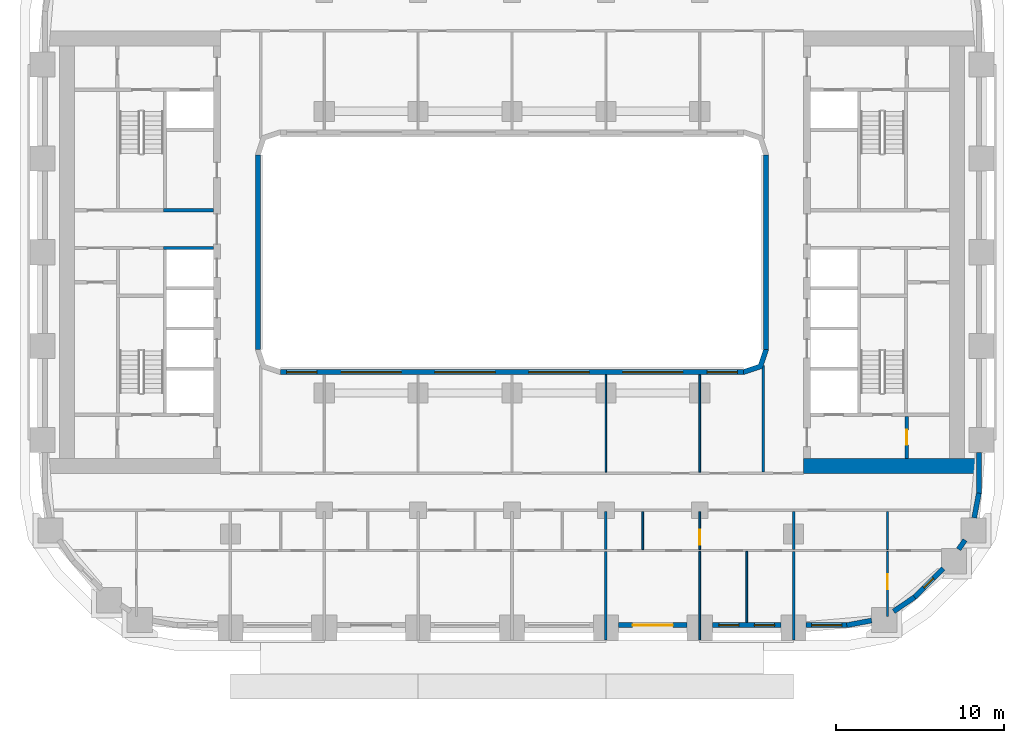
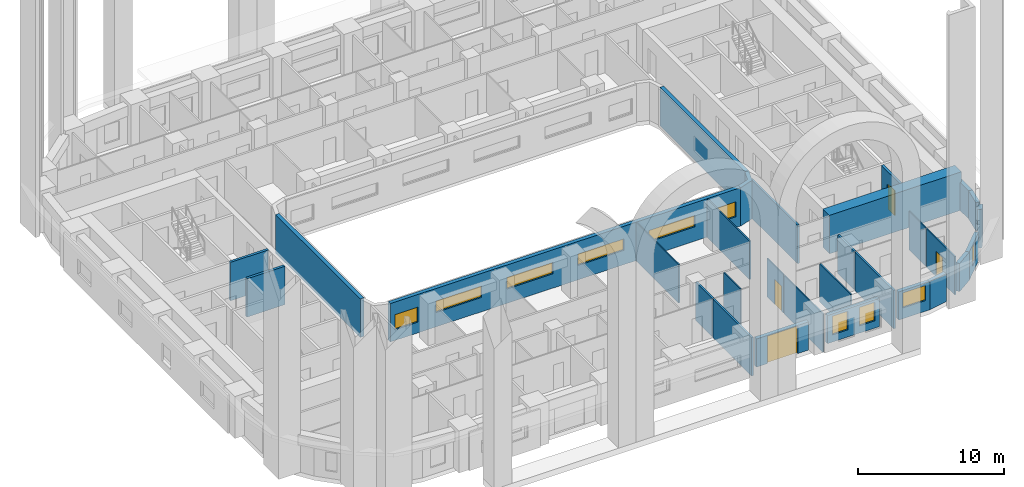
# One storey, part 5 of 21: 30 walls, 10 windows, 4 doors, 14 openings.
"""IFC4 building model written with IfcOpenShell, lengths in metres."""

from ifc_helpers import new_model, si_unit, direction, frame, frame_2d, origin, place, context, subcontext, project, spatial, polyline, rectangle, outline, extrude, material, layer, layer_set, type_object, element, fill, save


model = new_model("IFC4")

# Units and contexts
model_context = context("Model", 3, precision=1e-05, world=origin(), true_north=direction((0.0, 1.0)))
body_context = subcontext(model_context, "Body", "Model", "MODEL_VIEW")
ifc_project = project(units=[si_unit("LENGTHUNIT", "METRE"), si_unit("AREAUNIT", "SQUARE_METRE"), si_unit("VOLUMEUNIT", "CUBIC_METRE"), si_unit("PLANEANGLEUNIT", "RADIAN"), si_unit("MASSUNIT", "GRAM", prefix="KILO")], contexts=[model_context])

# Site, building, storey
site_placement = place(None, origin())
site = spatial("IfcSite", under=ifc_project, at=site_placement, CompositionType="ELEMENT")
building_placement = place(site_placement, origin())
building = spatial("IfcBuilding", under=site, at=building_placement, Name="Kiln Ring Residences", CompositionType="ELEMENT")
storey_placement = place(building_placement, frame((0.0, 0.0, 30.5)))
storey = spatial("IfcBuildingStorey", under=building, at=storey_placement, Name="L06", CompositionType="ELEMENT", Elevation=30.5)

# Wall, opening, door
ifc_material_1 = material(Name="Gypsum board on steel studs", Category="steel")
ifc_layer_1 = layer(ifc_material_1, 0.199951171875)
ifc_layer_set_1 = layer_set([ifc_layer_1], Name="CORE-PARTITION-200")
wall_type_1 = type_object("IfcWallType", Name="CORE-PARTITION-200", PredefinedType="PARTITIONING", material=ifc_layer_set_1)
wall_1_placement = place(storey_placement, frame((23.550048828125, -12.300048828125, 0.0), z_axis=(0.0, 0.0, 1.0), x_axis=(0.0, 1.0, 0.0)))
wall_1 = element("IfcWall", 1, at=wall_1_placement, inside=storey, type_object=wall_type_1, Name="Core partition east L06 4", PredefinedType="PARTITIONING", context=body_context, shape_type="SweptSolid", body=[
    extrude(rectangle(XDim=2.5, YDim=0.199951171875, at=frame_2d((1.25, 0.0))), origin(), (0.0, 0.0, 1.0), 3.199951171875),
])
opening_1_placement = place(wall_1_placement, frame((0.800048828125, 0.0, 0.0)))
opening_1 = element("IfcOpeningElement", 2, at=opening_1_placement, cuts=wall_1, Name="Opening L06-CE10", PredefinedType="OPENING", context=body_context, shape_type="SweptSolid", body=[
    extrude(rectangle(XDim=0.89990234375, YDim=2.10009765625, at=frame_2d((0.449951171875, 1.050048828125))), frame((0.0, 0.10986328125, 0.0), z_axis=(0.0, -1.0, 0.0), x_axis=(1.0, 0.0, 0.0)), (0.0, 0.0, 1.0), 0.219970703125),
])
ifc_material_2 = material(Name="Steel door leaf", Category="steel")
door_type_1 = type_object("IfcDoorType", Name="CORE-DOOR-ROOM", OperationType="SINGLE_SWING_LEFT", PredefinedType="DOOR", material=ifc_material_2)
door_1_placement = place(opening_1_placement, origin())
door_1 = element("IfcDoor", 3, at=door_1_placement, inside=storey, type_object=door_type_1, Name="Store L06-CE10", OperationType="SINGLE_SWING_LEFT", OverallHeight=2.10009765625, OverallWidth=0.89990234375, PredefinedType="DOOR", context=body_context, shape_type="SweptSolid", body=[
    extrude(rectangle(XDim=0.89990234375, YDim=2.10009765625, at=frame_2d((0.449951171875, 1.050048828125))), frame((0.0, 0.02490234375, 0.0), z_axis=(0.0, -1.0, 0.0), x_axis=(1.0, 0.0, 0.0)), (0.0, 0.0, 1.0), 0.050048828125),
])
fill(opening_1, door_1)

# Walls
ifc_material_3 = material(Name="Gypsum shaft wall system")
ifc_layer_2 = layer(ifc_material_3, 0.199951171875)
ifc_layer_set_2 = layer_set([ifc_layer_2], Name="CORE-SHAFT-WALL-200")
wall_type_2 = type_object("IfcWallType", Name="CORE-SHAFT-WALL-200", PredefinedType="PARTITIONING", material=ifc_layer_set_2)
for number, where, z_axis, x_axis, name in (
    (4, (-17.800048828125, 0.25, 0.0), (0.0, 0.0, 1.0), (-1.0, 0.0, 0.0), "Core partition west L06 9"),
    (5, (-17.800048828125, 2.5, 0.0), (0.0, 0.0, 1.0), (-1.0, 0.0, 0.0), "Core partition west L06 10"),
):
    element("IfcWall", number, at=place(storey_placement, frame(where, z_axis=z_axis, x_axis=x_axis)), inside=storey, type_object=wall_type_2, Name=name, PredefinedType="PARTITIONING", context=body_context, shape_type="SweptSolid", body=[
        extrude(rectangle(XDim=3.0, YDim=0.199951171875, at=frame_2d((1.5, 0.0))), origin(), (0.0, 0.0, 1.0), 3.199951171875),
    ])
ifc_material_4 = material(Name="Concrete C60/75", Category="concrete")
ifc_layer_3 = layer(ifc_material_4, 0.89990234375)
ifc_layer_set_3 = layer_set([ifc_layer_3], Name="CORE-WALL-RC900")
wall_type_3 = type_object("IfcWallType", Name="CORE-WALL-RC900", PredefinedType="SHEAR", material=ifc_layer_set_3)
wall_2_placement = place(storey_placement, frame((17.39990234375, -12.75, 0.0), z_axis=(0.0, 0.0, 1.0), x_axis=(1.0, 0.0, 0.0)))
element("IfcWall", 6, at=wall_2_placement, inside=storey, type_object=wall_type_3, Name="Core wall east L06 5", PredefinedType="SHEAR", context=body_context, shape_type="SweptSolid", body=[
    extrude(rectangle(XDim=10.400146484375, YDim=0.89990234375, at=frame_2d((5.2001953125, 0.0))), origin(), (0.0, 0.0, 1.0), 3.199951171875),
])

# Wall, opening, door
ifc_material_5 = material(Name="Brick masonry, dark clay brick", Category="masonry")
ifc_layer_4 = layer(ifc_material_5, 0.300048828125)
ifc_layer_set_4 = layer_set([ifc_layer_4], Name="EW-300 BRICK WALL")
wall_type_4 = type_object("IfcWallType", Name="EW-300 BRICK WALL", PredefinedType="SOLIDWALL", material=ifc_layer_set_4)
wall_3_placement = place(storey_placement, frame((6.35009765625, -22.25, 0.0), z_axis=(0.0, 0.0, 1.0), x_axis=(1.0, 0.0, 0.0)))
wall_3 = element("IfcWall", 7, at=wall_3_placement, inside=storey, type_object=wall_type_4, Name="Facade wall L06 9", PredefinedType="SOLIDWALL", context=body_context, shape_type="SweptSolid", body=[
    extrude(rectangle(XDim=4.099853515625, YDim=0.300048828125, at=frame_2d((2.0498046875, 0.0))), origin(), (0.0, 0.0, 1.0), 2.35009765625),
])
opening_2_placement = place(wall_3_placement, frame((0.85009765625, 0.0, 0.0)))
opening_2 = element("IfcOpeningElement", 8, at=opening_2_placement, cuts=wall_3, Name="Opening EL06-2", PredefinedType="OPENING", context=body_context, shape_type="SweptSolid", body=[
    extrude(rectangle(XDim=2.39990234375, YDim=2.300048828125, at=frame_2d((1.199951171875, 1.14990234375))), frame((0.0, 0.159912109375, 0.0), z_axis=(0.0, -1.0, 0.0), x_axis=(1.0, 0.0, 0.0)), (0.0, 0.0, 1.0), 0.320068359375),
])
ifc_material_6 = material(Name="Aluminium and glass", Category="aluminium")
door_type_2 = type_object("IfcDoorType", Name="TERRACE DOOR 2400 x 2300", OperationType="DOUBLE_DOOR_SINGLE_SWING", PredefinedType="DOOR", material=ifc_material_6)
door_2_placement = place(opening_2_placement, origin())
door_2 = element("IfcDoor", 9, at=door_2_placement, inside=storey, type_object=door_type_2, Name="Terrace door EL06-2", OperationType="SINGLE_SWING_LEFT", OverallHeight=2.300048828125, OverallWidth=2.39990234375, PredefinedType="DOOR", context=body_context, shape_type="SweptSolid", body=[
    extrude(rectangle(XDim=2.39990234375, YDim=2.300048828125, at=frame_2d((1.199951171875, 1.14990234375))), frame((0.0, 0.02490234375, 0.0), z_axis=(0.0, -1.0, 0.0), x_axis=(1.0, 0.0, 0.0)), (0.0, 0.0, 1.0), 0.050048828125),
])
fill(opening_2, door_2)

# Wall, openings, windows
wall_4_placement = place(storey_placement, frame((11.949951171875, -22.25, 0.0), z_axis=(0.0, 0.0, 1.0), x_axis=(1.0, 0.0, 0.0)))
wall_4 = element("IfcWall", 10, at=wall_4_placement, inside=storey, type_object=wall_type_4, Name="Facade wall L06 10", PredefinedType="SOLIDWALL", context=body_context, shape_type="SweptSolid", body=[
    extrude(rectangle(XDim=4.10009765625, YDim=0.300048828125, at=frame_2d((2.050048828125, 0.0))), origin(), (0.0, 0.0, 1.0), 2.35009765625),
])
opening_3_placement = place(wall_4_placement, frame((0.387451171875, 0.0, 0.60009765625)))
opening_3 = element("IfcOpeningElement", 11, at=opening_3_placement, cuts=wall_4, Name="Opening W1", PredefinedType="OPENING", context=body_context, shape_type="SweptSolid", body=[
    extrude(rectangle(XDim=1.199951171875, YDim=1.550048828125, at=frame_2d((0.60009765625, 0.77490234375))), frame((0.0, 0.159912109375, 0.0), z_axis=(0.0, -1.0, 0.0), x_axis=(1.0, 0.0, 0.0)), (0.0, 0.0, 1.0), 0.320068359375),
])
opening_4_placement = place(wall_4_placement, frame((2.512451171875, 0.0, 0.60009765625)))
opening_4 = element("IfcOpeningElement", 12, at=opening_4_placement, cuts=wall_4, Name="Opening W1", PredefinedType="OPENING", context=body_context, shape_type="SweptSolid", body=[
    extrude(rectangle(XDim=1.199951171875, YDim=1.550048828125, at=frame_2d((0.60009765625, 0.77490234375))), frame((0.0, 0.159912109375, 0.0), z_axis=(0.0, -1.0, 0.0), x_axis=(1.0, 0.0, 0.0)), (0.0, 0.0, 1.0), 0.320068359375),
])
ifc_material_7 = material(Name="Aluminium frame with double glazing", Category="aluminium")
window_type_1 = type_object("IfcWindowType", Name="WINDOW 1200 x 1550", PartitioningType="SINGLE_PANEL", PredefinedType="WINDOW", material=ifc_material_7)
window_1_placement = place(opening_3_placement, origin())
window_1 = element("IfcWindow", 13, at=window_1_placement, inside=storey, type_object=window_type_1, Name="Window L06 6", OverallHeight=1.550048828125, OverallWidth=1.199951171875, PartitioningType="SINGLE_PANEL", PredefinedType="WINDOW", context=body_context, shape_type="SweptSolid", body=[
    extrude(rectangle(XDim=1.199951171875, YDim=1.550048828125, at=frame_2d((0.60009765625, 0.77490234375))), frame((0.0, 0.030029296875, 0.0), z_axis=(0.0, -1.0, 0.0), x_axis=(1.0, 0.0, 0.0)), (0.0, 0.0, 1.0), 0.06005859375),
])
fill(opening_3, window_1)
window_2_placement = place(opening_4_placement, origin())
window_2 = element("IfcWindow", 14, at=window_2_placement, inside=storey, type_object=window_type_1, Name="Window L06 7", OverallHeight=1.550048828125, OverallWidth=1.199951171875, PartitioningType="SINGLE_PANEL", PredefinedType="WINDOW", context=body_context, shape_type="SweptSolid", body=[
    extrude(rectangle(XDim=1.199951171875, YDim=1.550048828125, at=frame_2d((0.60009765625, 0.77490234375))), frame((0.0, 0.030029296875, 0.0), z_axis=(0.0, -1.0, 0.0), x_axis=(1.0, 0.0, 0.0)), (0.0, 0.0, 1.0), 0.06005859375),
])
fill(opening_4, window_2)

# Wall, opening, window
wall_5_placement = place(storey_placement, frame((17.550048828125, -22.25, 0.0), z_axis=(0.0, 0.0, 1.0), x_axis=(1.0, 0.0, 0.0)))
wall_5 = element("IfcWall", 15, at=wall_5_placement, inside=storey, type_object=wall_type_4, Name="Facade wall L06 11", PredefinedType="SOLIDWALL", context=body_context, shape_type="SweptSolid", body=[
    extrude(rectangle(XDim=2.449951171875, YDim=0.300048828125, at=frame_2d((1.22509765625, 0.0))), origin(), (0.0, 0.0, 1.0), 2.35009765625),
])
opening_5_placement = place(wall_5_placement, frame((0.324951171875, 0.0, 0.89990234375)))
opening_5 = element("IfcOpeningElement", 16, at=opening_5_placement, cuts=wall_5, Name="Opening W2", PredefinedType="OPENING", context=body_context, shape_type="SweptSolid", body=[
    extrude(rectangle(XDim=1.800048828125, YDim=1.25, at=frame_2d((0.89990234375, 0.625))), frame((0.0, 0.159912109375, 0.0), z_axis=(0.0, -1.0, 0.0), x_axis=(1.0, 0.0, 0.0)), (0.0, 0.0, 1.0), 0.320068359375),
])
ifc_material_8 = material(Name="Aluminium frame with double glazing", Category="aluminium")
window_type_2 = type_object("IfcWindowType", Name="WINDOW 1800 x 1250", PartitioningType="SINGLE_PANEL", PredefinedType="WINDOW", material=ifc_material_8)
window_3_placement = place(opening_5_placement, origin())
window_3 = element("IfcWindow", 17, at=window_3_placement, inside=storey, type_object=window_type_2, Name="Window L06 8", OverallHeight=1.25, OverallWidth=1.800048828125, PartitioningType="SINGLE_PANEL", PredefinedType="WINDOW", context=body_context, shape_type="SweptSolid", body=[
    extrude(rectangle(XDim=1.800048828125, YDim=1.25, at=frame_2d((0.89990234375, 0.625))), frame((0.0, 0.030029296875, 0.0), z_axis=(0.0, -1.0, 0.0), x_axis=(1.0, 0.0, 0.0)), (0.0, 0.0, 1.0), 0.06005859375),
])
fill(opening_5, window_3)

# Walls
for number, where, z_axis, x_axis, name in (
    (18, (19.971923828125, -22.252685546875, 0.0), (0.0, 0.0, 1.0), (0.982287454367, 0.187380247071, 0.0), "Facade wall L06 12"),
    (19, (22.76708984375, -21.425537109375, 0.0), (0.0, 0.0, 1.0), (0.827028997312, 0.562159263559, 0.0), "Facade wall L06 13"),
):
    element("IfcWall", number, at=place(storey_placement, frame(where, z_axis=z_axis, x_axis=x_axis)), inside=storey, type_object=wall_type_4, Name=name, PredefinedType="SOLIDWALL", context=body_context, shape_type="SweptSolid", body=[
        extrude(rectangle(XDim=1.506103515625, YDim=0.300048828125, at=frame_2d((0.7529296875, 0.0))), origin(), (0.0, 0.0, 1.0), 2.35009765625),
    ])

# Wall, opening, window
wall_6_placement = place(storey_placement, frame((23.990966796875, -20.596923828125, 0.0), z_axis=(0.0, 0.0, 1.0), x_axis=(0.707106781187, 0.707106781187, 0.0)))
wall_6 = element("IfcWall", 20, at=wall_6_placement, inside=storey, type_object=wall_type_4, Name="Facade wall L06 14", PredefinedType="SOLIDWALL", context=body_context, shape_type="SweptSolid", body=[
    extrude(rectangle(XDim=2.449951171875, YDim=0.300048828125, at=frame_2d((1.22509765625, 0.0))), origin(), (0.0, 0.0, 1.0), 2.35009765625),
])
opening_6_placement = place(wall_6_placement, frame((0.824951171875, 0.0, 0.60009765625)))
opening_6 = element("IfcOpeningElement", 21, at=opening_6_placement, cuts=wall_6, Name="Opening W5", PredefinedType="OPENING", context=body_context, shape_type="SweptSolid", body=[
    extrude(rectangle(XDim=0.800048828125, YDim=1.550048828125, at=frame_2d((0.39990234375, 0.77490234375))), frame((0.0, 0.159912109375, 0.0), z_axis=(0.0, -1.0, 0.0), x_axis=(1.0, 0.0, 0.0)), (0.0, 0.0, 1.0), 0.320068359375),
])
ifc_material_9 = material(Name="Aluminium frame with double glazing", Category="aluminium")
window_type_3 = type_object("IfcWindowType", Name="WINDOW 800 x 1550", PartitioningType="SINGLE_PANEL", PredefinedType="WINDOW", material=ifc_material_9)
window_4_placement = place(opening_6_placement, origin())
window_4 = element("IfcWindow", 22, at=window_4_placement, inside=storey, type_object=window_type_3, Name="Window L06 9", OverallHeight=1.550048828125, OverallWidth=0.800048828125, PartitioningType="SINGLE_PANEL", PredefinedType="WINDOW", context=body_context, shape_type="SweptSolid", body=[
    extrude(rectangle(XDim=0.800048828125, YDim=1.550048828125, at=frame_2d((0.39990234375, 0.77490234375))), frame((0.0, 0.030029296875, 0.0), z_axis=(0.0, -1.0, 0.0), x_axis=(1.0, 0.0, 0.0)), (0.0, 0.0, 1.0), 0.06005859375),
])
fill(opening_6, window_4)

# Walls
wall_7_placement = place(storey_placement, frame((26.644775390625, -17.72705078125, 0.0), z_axis=(0.0, 0.0, 1.0), x_axis=(0.562083182981, 0.827080706709, 0.0)))
element("IfcWall", 23, at=wall_7_placement, inside=storey, type_object=wall_type_4, Name="Facade wall L06 15", PredefinedType="SOLIDWALL", context=body_context, shape_type="SweptSolid", body=[
    extrude(rectangle(XDim=0.67724609375, YDim=0.300048828125, at=frame_2d((0.338623046875, 0.0))), origin(), (0.0, 0.0, 1.0), 3.199951171875),
])
wall_8_placement = place(storey_placement, frame((27.570556640625, -15.851318359375, 0.0), z_axis=(0.0, 0.0, 1.0), x_axis=(0.187223837635, 0.982317277982, 0.0)))
element("IfcWall", 24, at=wall_8_placement, inside=storey, type_object=wall_type_4, Name="Facade wall L06 16", PredefinedType="SOLIDWALL", context=body_context, shape_type="SweptSolid", body=[
    extrude(rectangle(XDim=1.506103515625, YDim=0.300048828125, at=frame_2d((0.7529296875, 0.0))), origin(), (0.0, 0.0, 1.0), 2.35009765625),
])
wall_9_placement = place(storey_placement, frame((27.85009765625, -14.39990234375, 0.0), z_axis=(0.0, 0.0, 1.0), x_axis=(0.0, 1.0, 0.0)))
element("IfcWall", 25, at=wall_9_placement, inside=storey, type_object=wall_type_4, Name="Facade wall L06 17", PredefinedType="SOLIDWALL", context=body_context, shape_type="SweptSolid", body=[
    extrude(rectangle(XDim=2.449951171875, YDim=0.300048828125, at=frame_2d((1.22509765625, 0.0))), origin(), (0.0, 0.0, 1.0), 2.35009765625),
])
for number, where, z_axis, x_axis, name in (
    (26, (-15.14990234375, -5.800048828125, 0.0), (0.0, 0.0, 1.0), (0.0, 1.0, 0.0), "Facade wall L06 49"),
    (27, (15.14990234375, 5.800048828125, 0.0), (0.0, 0.0, 1.0), (0.0, -1.0, 0.0), "Facade wall L06 51"),
):
    element("IfcWall", number, at=place(storey_placement, frame(where, z_axis=z_axis, x_axis=x_axis)), inside=storey, type_object=wall_type_4, Name=name, PredefinedType="SOLIDWALL", context=body_context, shape_type="SweptSolid", body=[
        extrude(rectangle(XDim=11.60009765625, YDim=0.300048828125, at=frame_2d((5.800048828125, 0.0))), origin(), (0.0, 0.0, 1.0), 3.199951171875),
    ])

# Wall, openings, windows
wall_10_placement = place(storey_placement, frame((13.800048828125, -7.14990234375, 0.0), z_axis=(0.0, 0.0, 1.0), x_axis=(-1.0, 0.0, 0.0)))
wall_10 = element("IfcWall", 28, at=wall_10_placement, inside=storey, type_object=wall_type_4, Name="Facade wall L06 52", PredefinedType="SOLIDWALL", context=body_context, shape_type="SweptSolid", body=[
    extrude(rectangle(XDim=27.60009765625, YDim=0.300048828125, at=frame_2d((13.800048828125, 0.0))), origin(), (0.0, 0.0, 1.0), 3.199951171875),
])
opening_7_placement = place(wall_10_placement, frame((0.362548828125, 0.0, 0.89990234375)))
opening_7 = element("IfcOpeningElement", 29, at=opening_7_placement, cuts=wall_10, Name="Opening W2", PredefinedType="OPENING", context=body_context, shape_type="SweptSolid", body=[
    extrude(rectangle(XDim=1.800048828125, YDim=1.25, at=frame_2d((0.89990234375, 0.625))), frame((0.0, 0.159912109375, 0.0), z_axis=(0.0, -1.0, 0.0), x_axis=(1.0, 0.0, 0.0)), (0.0, 0.0, 1.0), 0.320068359375),
])
opening_8_placement = place(wall_10_placement, frame((3.60009765625, 0.0, 1.199951171875)))
opening_8 = element("IfcOpeningElement", 30, at=opening_8_placement, cuts=wall_10, Name="Opening W4", PredefinedType="OPENING", context=body_context, shape_type="SweptSolid", body=[
    extrude(rectangle(XDim=3.60009765625, YDim=0.949951171875, at=frame_2d((1.800048828125, 0.47509765625))), frame((0.0, 0.159912109375, 0.0), z_axis=(0.0, -1.0, 0.0), x_axis=(1.0, 0.0, 0.0)), (0.0, 0.0, 1.0), 0.320068359375),
])
opening_9_placement = place(wall_10_placement, frame((9.199951171875, 0.0, 1.199951171875)))
opening_9 = element("IfcOpeningElement", 31, at=opening_9_placement, cuts=wall_10, Name="Opening W4", PredefinedType="OPENING", context=body_context, shape_type="SweptSolid", body=[
    extrude(rectangle(XDim=3.60009765625, YDim=0.949951171875, at=frame_2d((1.800048828125, 0.47509765625))), frame((0.0, 0.159912109375, 0.0), z_axis=(0.0, -1.0, 0.0), x_axis=(1.0, 0.0, 0.0)), (0.0, 0.0, 1.0), 0.320068359375),
])
opening_10_placement = place(wall_10_placement, frame((14.800048828125, 0.0, 1.199951171875)))
opening_10 = element("IfcOpeningElement", 32, at=opening_10_placement, cuts=wall_10, Name="Opening W4", PredefinedType="OPENING", context=body_context, shape_type="SweptSolid", body=[
    extrude(rectangle(XDim=3.60009765625, YDim=0.949951171875, at=frame_2d((1.800048828125, 0.47509765625))), frame((0.0, 0.159912109375, 0.0), z_axis=(0.0, -1.0, 0.0), x_axis=(1.0, 0.0, 0.0)), (0.0, 0.0, 1.0), 0.320068359375),
])
opening_11_placement = place(wall_10_placement, frame((20.39990234375, 0.0, 1.199951171875)))
opening_11 = element("IfcOpeningElement", 33, at=opening_11_placement, cuts=wall_10, Name="Opening W4", PredefinedType="OPENING", context=body_context, shape_type="SweptSolid", body=[
    extrude(rectangle(XDim=3.60009765625, YDim=0.949951171875, at=frame_2d((1.800048828125, 0.47509765625))), frame((0.0, 0.159912109375, 0.0), z_axis=(0.0, -1.0, 0.0), x_axis=(1.0, 0.0, 0.0)), (0.0, 0.0, 1.0), 0.320068359375),
])
opening_12_placement = place(wall_10_placement, frame((25.4375, 0.0, 0.89990234375)))
opening_12 = element("IfcOpeningElement", 34, at=opening_12_placement, cuts=wall_10, Name="Opening W2", PredefinedType="OPENING", context=body_context, shape_type="SweptSolid", body=[
    extrude(rectangle(XDim=1.800048828125, YDim=1.25, at=frame_2d((0.89990234375, 0.625))), frame((0.0, 0.159912109375, 0.0), z_axis=(0.0, -1.0, 0.0), x_axis=(1.0, 0.0, 0.0)), (0.0, 0.0, 1.0), 0.320068359375),
])
window_5_placement = place(opening_7_placement, origin())
window_5 = element("IfcWindow", 35, at=window_5_placement, inside=storey, type_object=window_type_2, Name="Window L06 28", OverallHeight=1.25, OverallWidth=1.800048828125, PartitioningType="SINGLE_PANEL", PredefinedType="WINDOW", context=body_context, shape_type="SweptSolid", body=[
    extrude(rectangle(XDim=1.800048828125, YDim=1.25, at=frame_2d((0.89990234375, 0.625))), frame((0.0, 0.030029296875, 0.0), z_axis=(0.0, -1.0, 0.0), x_axis=(1.0, 0.0, 0.0)), (0.0, 0.0, 1.0), 0.06005859375),
])
fill(opening_7, window_5)
window_6_placement = place(opening_12_placement, origin())
window_6 = element("IfcWindow", 36, at=window_6_placement, inside=storey, type_object=window_type_2, Name="Window L06 33", OverallHeight=1.25, OverallWidth=1.800048828125, PartitioningType="SINGLE_PANEL", PredefinedType="WINDOW", context=body_context, shape_type="SweptSolid", body=[
    extrude(rectangle(XDim=1.800048828125, YDim=1.25, at=frame_2d((0.89990234375, 0.625))), frame((0.0, 0.030029296875, 0.0), z_axis=(0.0, -1.0, 0.0), x_axis=(1.0, 0.0, 0.0)), (0.0, 0.0, 1.0), 0.06005859375),
])
fill(opening_12, window_6)
ifc_material_10 = material(Name="Aluminium frame with double glazing", Category="aluminium")
window_type_4 = type_object("IfcWindowType", Name="WINDOW 3600 x 950", PartitioningType="SINGLE_PANEL", PredefinedType="WINDOW", material=ifc_material_10)
window_7_placement = place(opening_8_placement, origin())
window_7 = element("IfcWindow", 37, at=window_7_placement, inside=storey, type_object=window_type_4, Name="Window L06 29", OverallHeight=0.949951171875, OverallWidth=3.60009765625, PartitioningType="SINGLE_PANEL", PredefinedType="WINDOW", context=body_context, shape_type="SweptSolid", body=[
    extrude(rectangle(XDim=3.60009765625, YDim=0.949951171875, at=frame_2d((1.800048828125, 0.47509765625))), frame((0.0, 0.030029296875, 0.0), z_axis=(0.0, -1.0, 0.0), x_axis=(1.0, 0.0, 0.0)), (0.0, 0.0, 1.0), 0.06005859375),
])
fill(opening_8, window_7)
window_8_placement = place(opening_9_placement, origin())
window_8 = element("IfcWindow", 38, at=window_8_placement, inside=storey, type_object=window_type_4, Name="Window L06 30", OverallHeight=0.949951171875, OverallWidth=3.60009765625, PartitioningType="SINGLE_PANEL", PredefinedType="WINDOW", context=body_context, shape_type="SweptSolid", body=[
    extrude(rectangle(XDim=3.60009765625, YDim=0.949951171875, at=frame_2d((1.800048828125, 0.47509765625))), frame((0.0, 0.030029296875, 0.0), z_axis=(0.0, -1.0, 0.0), x_axis=(1.0, 0.0, 0.0)), (0.0, 0.0, 1.0), 0.06005859375),
])
fill(opening_9, window_8)
window_9_placement = place(opening_10_placement, origin())
window_9 = element("IfcWindow", 39, at=window_9_placement, inside=storey, type_object=window_type_4, Name="Window L06 31", OverallHeight=0.949951171875, OverallWidth=3.60009765625, PartitioningType="SINGLE_PANEL", PredefinedType="WINDOW", context=body_context, shape_type="SweptSolid", body=[
    extrude(rectangle(XDim=3.60009765625, YDim=0.949951171875, at=frame_2d((1.800048828125, 0.47509765625))), frame((0.0, 0.030029296875, 0.0), z_axis=(0.0, -1.0, 0.0), x_axis=(1.0, 0.0, 0.0)), (0.0, 0.0, 1.0), 0.06005859375),
])
fill(opening_10, window_9)
window_10_placement = place(opening_11_placement, origin())
window_10 = element("IfcWindow", 40, at=window_10_placement, inside=storey, type_object=window_type_4, Name="Window L06 32", OverallHeight=0.949951171875, OverallWidth=3.60009765625, PartitioningType="SINGLE_PANEL", PredefinedType="WINDOW", context=body_context, shape_type="SweptSolid", body=[
    extrude(rectangle(XDim=3.60009765625, YDim=0.949951171875, at=frame_2d((1.800048828125, 0.47509765625))), frame((0.0, 0.030029296875, 0.0), z_axis=(0.0, -1.0, 0.0), x_axis=(1.0, 0.0, 0.0)), (0.0, 0.0, 1.0), 0.06005859375),
])
fill(opening_11, window_10)

# Walls
wall_11_placement = place(storey_placement, origin())
element("IfcWall", 41, at=wall_11_placement, inside=storey, type_object=wall_type_4, Name="Corner wall L06 3", PredefinedType="SOLIDWALL", context=body_context, shape_type="SweptSolid", body=[
    extrude(outline(polyline([(14.937255859375, -6.937255859375), (15.300048828125, -5.8486328125), (15.300048828125, -5.800048828125), (15.0, -5.800048828125), (14.699951171875, -6.699951171875), (13.800048828125, -7.0), (13.800048828125, -7.300048828125), (13.8486328125, -7.300048828125), (14.937255859375, -6.937255859375)])), origin(), (0.0, 0.0, 1.0), 3.199951171875),
])
ifc_material_11 = material(Name="Gypsum board on steel studs", Category="steel")
ifc_layer_5 = layer(ifc_material_11, 0.10009765625)
ifc_layer_set_5 = layer_set([ifc_layer_5], Name="PARTITION-100")
wall_type_5 = type_object("IfcWallType", Name="PARTITION-100", PredefinedType="PARTITIONING", material=ifc_layer_set_5)
wall_12_placement = place(storey_placement, frame((5.60009765625, -13.125, 0.0), z_axis=(0.0, 0.0, 1.0), x_axis=(0.0, 1.0, 0.0)))
element("IfcWall", 42, at=wall_12_placement, inside=storey, type_object=wall_type_5, Name="Partition 042", PredefinedType="PARTITIONING", context=body_context, shape_type="SweptSolid", body=[
    extrude(rectangle(XDim=5.804931640625, YDim=0.10009765625, at=frame_2d((2.90234375, 0.0))), origin(), (0.0, 0.0, 1.0), 3.199951171875),
])
wall_13_placement = place(storey_placement, frame((7.800048828125, -17.75, 0.0), z_axis=(0.0, 0.0, 1.0), x_axis=(0.0, 1.0, 0.0)))
element("IfcWall", 43, at=wall_13_placement, inside=storey, type_object=wall_type_5, Name="Partition 048", PredefinedType="PARTITIONING", context=body_context, shape_type="SweptSolid", body=[
    extrude(rectangle(XDim=2.27490234375, YDim=0.10009765625, at=frame_2d((1.137451171875, 0.0))), origin(), (0.0, 0.0, 1.0), 3.199951171875),
])
wall_14_placement = place(storey_placement, frame((11.199951171875, -23.1298828125, 0.0), z_axis=(0.0, 0.0, 1.0), x_axis=(0.0, 1.0, 0.0)))
element("IfcWall", 44, at=wall_14_placement, inside=storey, type_object=wall_type_5, Name="Partition 050", PredefinedType="PARTITIONING", context=body_context, shape_type="SweptSolid", body=[
    extrude(rectangle(XDim=5.27978515625, YDim=0.10009765625, at=frame_2d((2.639892578125, 0.0))), origin(), (0.0, 0.0, 1.0), 3.199951171875),
])

# Wall, opening, door
wall_15_placement = place(storey_placement, frame((11.199951171875, -17.75, 0.0), z_axis=(0.0, 0.0, 1.0), x_axis=(0.0, 1.0, 0.0)))
wall_15 = element("IfcWall", 45, at=wall_15_placement, inside=storey, type_object=wall_type_5, Name="Partition 051", PredefinedType="PARTITIONING", context=body_context, shape_type="SweptSolid", body=[
    extrude(rectangle(XDim=2.27490234375, YDim=0.10009765625, at=frame_2d((1.137451171875, 0.0))), origin(), (0.0, 0.0, 1.0), 3.199951171875),
])
opening_13_placement = place(wall_15_placement, frame((0.299072265625, 0.0, 0.0)))
opening_13 = element("IfcOpeningElement", 46, at=opening_13_placement, cuts=wall_15, Name="Opening L06-D060", PredefinedType="OPENING", context=body_context, shape_type="SweptSolid", body=[
    extrude(rectangle(XDim=0.89990234375, YDim=2.10009765625, at=frame_2d((0.449951171875, 1.050048828125))), frame((0.0, 0.06005859375, 0.0), z_axis=(0.0, -1.0, 0.0), x_axis=(1.0, 0.0, 0.0)), (0.0, 0.0, 1.0), 0.1201171875),
])
ifc_material_12 = material(Name="Timber door leaf", Category="wood")
door_type_3 = type_object("IfcDoorType", Name="FLAT-DOOR-900-PL", OperationType="SINGLE_SWING_LEFT", PredefinedType="DOOR", material=ifc_material_12)
door_3_placement = place(opening_13_placement, origin())
door_3 = element("IfcDoor", 47, at=door_3_placement, inside=storey, type_object=door_type_3, Name="Door L06-D060", OperationType="SINGLE_SWING_RIGHT", OverallHeight=2.10009765625, OverallWidth=0.89990234375, PredefinedType="DOOR", context=body_context, shape_type="SweptSolid", body=[
    extrude(rectangle(XDim=0.89990234375, YDim=2.10009765625, at=frame_2d((0.449951171875, 1.050048828125))), frame((0.0, 0.02490234375, 0.0), z_axis=(0.0, -1.0, 0.0), x_axis=(1.0, 0.0, 0.0)), (0.0, 0.0, 1.0), 0.050048828125),
])
fill(opening_13, door_3)

# Walls
wall_16_placement = place(storey_placement, frame((11.199951171875, -13.125, 0.0), z_axis=(0.0, 0.0, 1.0), x_axis=(0.0, 1.0, 0.0)))
element("IfcWall", 48, at=wall_16_placement, inside=storey, type_object=wall_type_5, Name="Partition 052", PredefinedType="PARTITIONING", context=body_context, shape_type="SweptSolid", body=[
    extrude(rectangle(XDim=5.804931640625, YDim=0.10009765625, at=frame_2d((2.90234375, 0.0))), origin(), (0.0, 0.0, 1.0), 3.199951171875),
])
wall_17_placement = place(storey_placement, frame((14.0, -22.080078125, 0.0), z_axis=(0.0, 0.0, 1.0), x_axis=(0.0, 1.0, 0.0)))
element("IfcWall", 49, at=wall_17_placement, inside=storey, type_object=wall_type_5, Name="Partition 057", PredefinedType="PARTITIONING", context=body_context, shape_type="SweptSolid", body=[
    extrude(rectangle(XDim=4.22998046875, YDim=0.10009765625, at=frame_2d((2.114990234375, 0.0))), origin(), (0.0, 0.0, 1.0), 3.199951171875),
])

# Wall, opening, door
wall_18_placement = place(storey_placement, frame((22.39990234375, -21.719970703125, 0.0), z_axis=(0.0, 0.0, 1.0), x_axis=(0.0, 1.0, 0.0)))
wall_18 = element("IfcWall", 50, at=wall_18_placement, inside=storey, type_object=wall_type_5, Name="Partition 064", PredefinedType="PARTITIONING", context=body_context, shape_type="SweptSolid", body=[
    extrude(rectangle(XDim=3.869873046875, YDim=0.10009765625, at=frame_2d((1.93505859375, 0.0))), origin(), (0.0, 0.0, 1.0), 3.199951171875),
])
opening_14_placement = place(wall_18_placement, frame((1.6220703125, 0.0, 0.0)))
opening_14 = element("IfcOpeningElement", 51, at=opening_14_placement, cuts=wall_18, Name="Opening L06-D068", PredefinedType="OPENING", context=body_context, shape_type="SweptSolid", body=[
    extrude(rectangle(XDim=0.89990234375, YDim=2.10009765625, at=frame_2d((0.449951171875, 1.050048828125))), frame((0.0, 0.06005859375, 0.0), z_axis=(0.0, -1.0, 0.0), x_axis=(1.0, 0.0, 0.0)), (0.0, 0.0, 1.0), 0.1201171875),
])
door_4_placement = place(opening_14_placement, origin())
door_4 = element("IfcDoor", 52, at=door_4_placement, inside=storey, type_object=door_type_3, Name="Door L06-D068", OperationType="SINGLE_SWING_RIGHT", OverallHeight=2.10009765625, OverallWidth=0.89990234375, PredefinedType="DOOR", context=body_context, shape_type="SweptSolid", body=[
    extrude(rectangle(XDim=0.89990234375, YDim=2.10009765625, at=frame_2d((0.449951171875, 1.050048828125))), frame((0.0, 0.02490234375, 0.0), z_axis=(0.0, -1.0, 0.0), x_axis=(1.0, 0.0, 0.0)), (0.0, 0.0, 1.0), 0.050048828125),
])
fill(opening_14, door_4)

# Walls
wall_19_placement = place(storey_placement, frame((22.39990234375, -17.75, 0.0), z_axis=(0.0, 0.0, 1.0), x_axis=(0.0, 1.0, 0.0)))
element("IfcWall", 53, at=wall_19_placement, inside=storey, type_object=wall_type_5, Name="Partition 065", PredefinedType="PARTITIONING", context=body_context, shape_type="SweptSolid", body=[
    extrude(rectangle(XDim=2.27490234375, YDim=0.10009765625, at=frame_2d((1.137451171875, 0.0))), origin(), (0.0, 0.0, 1.0), 3.199951171875),
])
ifc_material_13 = material(Name="Brick masonry partition", Category="masonry")
ifc_layer_6 = layer(ifc_material_13, 0.14990234375)
ifc_layer_set_6 = layer_set([ifc_layer_6], Name="PARTITION-150-ei60")
wall_type_6 = type_object("IfcWallType", Name="PARTITION-150-ei60", PredefinedType="PARTITIONING", material=ifc_layer_set_6)
wall_20_placement = place(storey_placement, frame((5.60009765625, -23.1298828125, 0.0), z_axis=(0.0, 0.0, 1.0), x_axis=(0.0, 1.0, 0.0)))
element("IfcWall", 54, at=wall_20_placement, inside=storey, type_object=wall_type_6, Name="Partition 046", PredefinedType="PARTITIONING", context=body_context, shape_type="SweptSolid", body=[
    extrude(rectangle(XDim=5.27978515625, YDim=0.14990234375, at=frame_2d((2.639892578125, 0.0))), origin(), (0.0, 0.0, 1.0), 3.199951171875),
])
wall_21_placement = place(storey_placement, frame((5.60009765625, -17.75, 0.0), z_axis=(0.0, 0.0, 1.0), x_axis=(0.0, 1.0, 0.0)))
element("IfcWall", 55, at=wall_21_placement, inside=storey, type_object=wall_type_6, Name="Partition 047", PredefinedType="PARTITIONING", context=body_context, shape_type="SweptSolid", body=[
    extrude(rectangle(XDim=2.27490234375, YDim=0.14990234375, at=frame_2d((1.137451171875, 0.0))), origin(), (0.0, 0.0, 1.0), 3.199951171875),
])
wall_22_placement = place(storey_placement, frame((15.0, -13.125, 0.0), z_axis=(0.0, 0.0, 1.0), x_axis=(0.0, 1.0, 0.0)))
element("IfcWall", 56, at=wall_22_placement, inside=storey, type_object=wall_type_6, Name="Partition 058", PredefinedType="PARTITIONING", context=body_context, shape_type="SweptSolid", body=[
    extrude(rectangle(XDim=6.356201171875, YDim=0.14990234375, at=frame_2d((3.17822265625, 0.0))), origin(), (0.0, 0.0, 1.0), 3.199951171875),
])
wall_23_placement = place(storey_placement, frame((16.800048828125, -23.1298828125, 0.0), z_axis=(0.0, 0.0, 1.0), x_axis=(0.0, 1.0, 0.0)))
element("IfcWall", 57, at=wall_23_placement, inside=storey, type_object=wall_type_6, Name="Partition 060", PredefinedType="PARTITIONING", context=body_context, shape_type="SweptSolid", body=[
    extrude(rectangle(XDim=5.27978515625, YDim=0.14990234375, at=frame_2d((2.639892578125, 0.0))), origin(), (0.0, 0.0, 1.0), 3.199951171875),
])
wall_24_placement = place(storey_placement, frame((16.800048828125, -17.75, 0.0), z_axis=(0.0, 0.0, 1.0), x_axis=(0.0, 1.0, 0.0)))
element("IfcWall", 58, at=wall_24_placement, inside=storey, type_object=wall_type_6, Name="Partition 061", PredefinedType="PARTITIONING", context=body_context, shape_type="SweptSolid", body=[
    extrude(rectangle(XDim=2.27490234375, YDim=0.14990234375, at=frame_2d((1.137451171875, 0.0))), origin(), (0.0, 0.0, 1.0), 3.199951171875),
])

save(model, "model.ifc")
